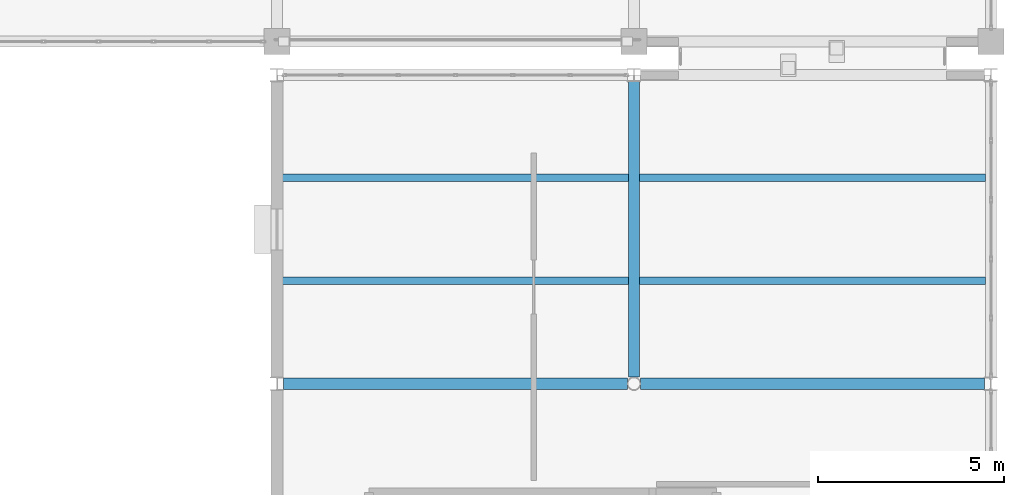
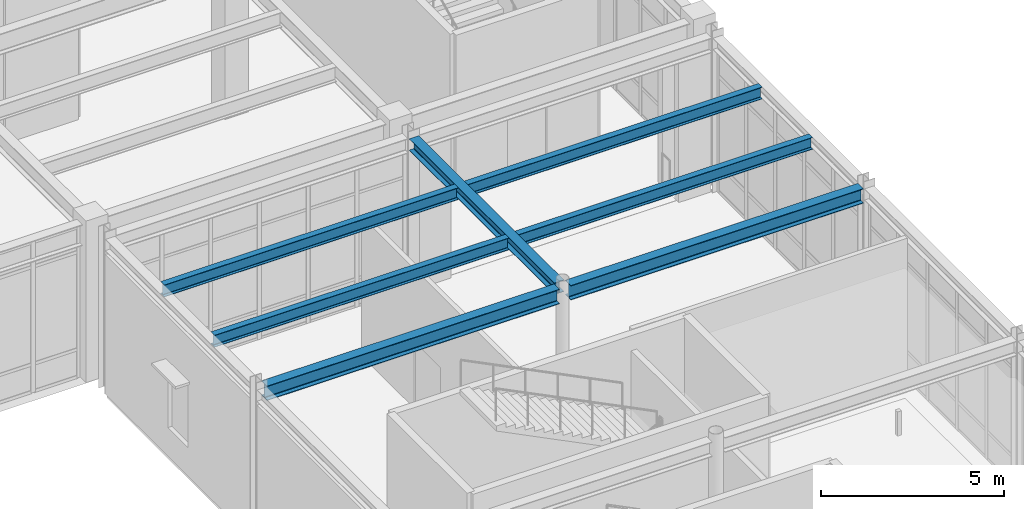
# One storey, part 22 of 80: 7 beams.
"""IFC4 building model written with IfcOpenShell, lengths in metres."""

import ifcopenshell
import ifcopenshell.guid

model = None  # the IFC model being written
_history = None  # IfcOwnerHistory: only IFC2X3 demands one
_inside = {}  # id of a spatial element -> (the spatial element, [elements in it])
_under = {}  # id of a project, library or spatial element -> (it, [spatial elements below it])
_declared = {}  # id of a project -> (the project, [libraries it declares])
_typed = {}  # id of a type object -> (the type object, [elements of that type])
_made_of = {}  # id of a material, layer set ... -> (it, [elements and type objects made of it])


def new_model(schema):
    """Start an empty IFC model of exactly this schema.

    Asked for "IFC4X3", IfcOpenShell would pick the latest addendum, in which some entities
    have other attributes; the version numbers below select the first issue.
    IFC2X3 requires an IfcOwnerHistory on every rooted entity: one is made here for all.
    """
    global model, _history
    if schema == "IFC4X3":
        model = ifcopenshell.file(schema_version=(4, 3, 0, 0))
    else:
        model = ifcopenshell.file(schema=schema)
    _inside.clear()
    _under.clear()
    _declared.clear()
    _typed.clear()
    _made_of.clear()
    _history = None
    if model.schema == "IFC2X3":
        org = make("IfcOrganization", Name="unknown")
        user = make(
            "IfcPersonAndOrganization",
            ThePerson=make("IfcPerson", FamilyName="unknown"),
            TheOrganization=org,
        )
        app = make(
            "IfcApplication",
            ApplicationDeveloper=org,
            Version="unknown",
            ApplicationFullName="unknown",
            ApplicationIdentifier="unknown",
        )
        _history = make(
            "IfcOwnerHistory",
            OwningUser=user,
            OwningApplication=app,
            ChangeAction="ADDED",
            CreationDate=0,
        )
    return model


def make(cls, **values):
    """One entity of the class cls with the attributes given. An attribute that is None is left unset."""
    return model.create_entity(
        cls, **{name: value for name, value in values.items() if value is not None}
    )


def rooted(cls, **values):
    """An entity with a GlobalId (a new one), such as an element, a storey or a relation."""
    return make(cls, GlobalId=ifcopenshell.guid.new(), OwnerHistory=_history, **values)


def si_unit(unit_type, name, prefix=None):
    """IfcSIUnit, for example si_unit("LENGTHUNIT", "METRE", prefix="MILLI")."""
    return make("IfcSIUnit", UnitType=unit_type, Prefix=prefix, Name=name)


def assignment(units):
    """IfcUnitAssignment: the units of a project."""
    return None if units is None else make("IfcUnitAssignment", Units=units)


def point(xyz):
    """IfcCartesianPoint."""
    return None if xyz is None else make("IfcCartesianPoint", Coordinates=xyz)


def direction(xyz):
    """IfcDirection."""
    return None if xyz is None else make("IfcDirection", DirectionRatios=xyz)


def frame(location, z_axis=None, x_axis=None):
    """IfcAxis2Placement3D, a coordinate frame: its origin and axes. An axis left out is left unset."""
    return make(
        "IfcAxis2Placement3D",
        Location=point(location),
        Axis=direction(z_axis),
        RefDirection=direction(x_axis),
    )


def frame_2d(location, x_axis=None):
    """IfcAxis2Placement2D, a coordinate frame in the plane: its origin and x axis."""
    return make(
        "IfcAxis2Placement2D", Location=point(location), RefDirection=direction(x_axis)
    )


def origin():
    """The frame at (0, 0, 0) with its axes left unset."""
    return frame((0.0, 0.0, 0.0))


def origin_2d():
    """The frame at (0, 0) in the plane with its x axis left unset."""
    return frame_2d((0.0, 0.0))


def place(relative_to, where):
    """IfcLocalPlacement: puts the frame where relative to a parent placement (None: the world)."""
    return make(
        "IfcLocalPlacement", PlacementRelTo=relative_to, RelativePlacement=where
    )


def context(
    kind, dimensions, precision=None, world=None, true_north=None, identifier=None
):
    """IfcGeometricRepresentationContext, for example the 3D "Model" context."""
    return make(
        "IfcGeometricRepresentationContext",
        ContextIdentifier=identifier,
        ContextType=kind,
        CoordinateSpaceDimension=dimensions,
        Precision=precision,
        WorldCoordinateSystem=world,
        TrueNorth=true_north,
    )


def subcontext(parent, identifier, kind, view, scale=None):
    """IfcGeometricRepresentationSubContext, for example "Body" below "Model"."""
    return make(
        "IfcGeometricRepresentationSubContext",
        ContextIdentifier=identifier,
        ContextType=kind,
        ParentContext=parent,
        TargetScale=scale,
        TargetView=view,
    )


def project(units=None, contexts=None):
    """IfcProject with its units and contexts."""
    return rooted(
        "IfcProject",
        Name="project",
        RepresentationContexts=contexts,
        UnitsInContext=assignment(units),
    )


def spatial(cls, under=None, at=None, **own):
    """A site, building, storey or space (cls), placed at a placement, below another one or the project."""
    s = rooted(cls, ObjectPlacement=at, **own)
    if under is not None:
        _under.setdefault(under.id(), (under, []))[1].append(s)
    return s


def profile(cls, at=None, kind="AREA", **sizes):
    """A parametric profile (cls). Its sizes go by their IFC names, for example OverallWidth=200.0."""
    return make(cls, ProfileType=kind, Position=at, **sizes)


def i_section(**sizes):
    """IfcIShapeProfileDef."""
    return profile("IfcIShapeProfileDef", **sizes)


def extrude(swept, where, along, depth):
    """IfcExtrudedAreaSolid: the profile swept, set in the frame where, extruded along a direction by depth."""
    return make(
        "IfcExtrudedAreaSolid",
        SweptArea=swept,
        Position=where,
        ExtrudedDirection=direction(along),
        Depth=depth,
    )


def shape(context_of_items, identifier, shape_type, items):
    """IfcShapeRepresentation: the items that make up one representation, for example the "Body"."""
    return make(
        "IfcShapeRepresentation",
        ContextOfItems=context_of_items,
        RepresentationIdentifier=identifier,
        RepresentationType=shape_type,
        Items=items,
    )


def material(Name=None, Category=None):
    """IfcMaterial."""
    return make("IfcMaterial", Name=Name, Category=Category)


def material_profile(
    of_material, cross_section, Name=None, Category=None, Priority=None
):
    """IfcMaterialProfile: a cross section and its material."""
    return make(
        "IfcMaterialProfile",
        Name=Name,
        Material=of_material,
        Profile=cross_section,
        Priority=Priority,
        Category=Category,
    )


def profile_set(profiles, Name=None, composite=None):
    """IfcMaterialProfileSet."""
    return make(
        "IfcMaterialProfileSet",
        Name=Name,
        MaterialProfiles=profiles,
        CompositeProfile=composite,
    )


def made_of(thing, what):
    """Note that an element or type object is made of a material, layer set ...; save() writes the relation."""
    if what is not None:
        _made_of.setdefault(what.id(), (what, []))[1].append(thing)
    return thing


def type_object(cls, material=None, **own):
    """A type object (cls), such as IfcWallType, which elements share."""
    return made_of(rooted(cls, **own), material)


def element(
    cls,
    number,
    at=None,
    inside=None,
    cuts=None,
    type_object=None,
    material=None,
    context=None,
    identifier="Body",
    shape_type=None,
    held_by="IfcProductDefinitionShape",
    body=None,
    shapes=None,
    **own,
):
    """One element of the class cls, such as IfcWall. Its Tag is "e" and its number.

    at: its placement. inside: the storey or other place that contains it. cuts: it is an
    opening in that element (IfcRelVoidsElement). A single representation is given by context,
    identifier, shape_type and body (its items); several are given by shapes. held_by: the class
    of the entity that holds the representations. save() writes the other relations.
    """
    e = rooted(cls, Tag="e%d" % number, ObjectPlacement=at, **own)
    if body is not None:
        shapes = [shape(context, identifier, shape_type, body)]
    if shapes is not None:
        e.Representation = make(held_by, Representations=shapes)
    if inside is not None:
        _inside.setdefault(inside.id(), (inside, []))[1].append(e)
    if cuts is not None:
        rooted(
            "IfcRelVoidsElement", RelatingBuildingElement=cuts, RelatedOpeningElement=e
        )
    if type_object is not None:
        _typed.setdefault(type_object.id(), (type_object, []))[1].append(e)
    return made_of(e, material)


def aggregate(whole, parts):
    """IfcRelAggregates: a whole, such as a stair, and the parts it consists of."""
    return rooted("IfcRelAggregates", RelatingObject=whole, RelatedObjects=parts)


def save(model, path):
    """Write the relations noted so far, then the file.

    IfcRelAggregates (storeys below a building ...), IfcRelContainedInSpatialStructure (elements
    in a storey), IfcRelDefinesByType, IfcRelAssociatesMaterial and IfcRelDeclares: one each for
    every whole, place, type object, material and project.
    """
    for whole, parts in _under.values():
        aggregate(whole, parts)
    for where, things in _inside.values():
        rooted(
            "IfcRelContainedInSpatialStructure",
            RelatedElements=things,
            RelatingStructure=where,
        )
    for kind, things in _typed.values():
        rooted("IfcRelDefinesByType", RelatedObjects=things, RelatingType=kind)
    for what, things in _made_of.values():
        rooted("IfcRelAssociatesMaterial", RelatedObjects=things, RelatingMaterial=what)
    for by, libraries in _declared.values():
        rooted("IfcRelDeclares", RelatingContext=by, RelatedDefinitions=libraries)
    model.write(path)


model = new_model("IFC4")

# Units and contexts
model_context = context("Model", 3, precision=1e-05, world=origin(), true_north=direction((0.0, 1.0)))
body_context = subcontext(model_context, "Body", "Model", "MODEL_VIEW")
ifc_project = project(units=[si_unit("LENGTHUNIT", "METRE"), si_unit("AREAUNIT", "SQUARE_METRE"), si_unit("VOLUMEUNIT", "CUBIC_METRE"), si_unit("PLANEANGLEUNIT", "RADIAN"), si_unit("MASSUNIT", "GRAM", prefix="KILO")], contexts=[model_context])

# Site, building, storey
site_placement = place(None, origin())
site = spatial("IfcSite", under=ifc_project, at=site_placement, CompositionType="ELEMENT")
building_placement = place(site_placement, origin())
building = spatial("IfcBuilding", under=site, at=building_placement, Name="Canglan Escarpment Cableway Terminal", CompositionType="ELEMENT")
storey_placement = place(building_placement, frame((0.0, 0.0, 19.199951171875)))
storey = spatial("IfcBuildingStorey", under=building, at=storey_placement, Name="L04", CompositionType="ELEMENT", Elevation=19.199951171875)

# Beams
ifc_material = material(Name="Steel Q355B", Category="steel")
ifc_material_profile_1 = material_profile(ifc_material, i_section(OverallWidth=0.300048828125, OverallDepth=0.389892578125, WebThickness=0.010009765625, FlangeThickness=0.01611328125, FilletRadius=0.02197265625, at=origin_2d()), Name="HM 390x300x10x16")
ifc_profile_set_1 = profile_set([ifc_material_profile_1], Name="Steel Q355B")
beam_type_1 = type_object("IfcBeamType", Name="BM-ARCH-TOP-HM390", PredefinedType="BEAM", material=ifc_profile_set_1)
beam_placement = place(storey_placement, frame((156.800048828125, 24.977783203125, 4.965087890625), z_axis=(0.0, 1.0, 0.0), x_axis=(-1.0, 0.0, 0.0)))
element("IfcBeam", 1, at=beam_placement, inside=storey, type_object=beam_type_1, Name="Primary transverse girder AR-TC1", PredefinedType="BEAM", context=body_context, shape_type="SweptSolid", body=[
    extrude(i_section(OverallWidth=0.300048828125, OverallDepth=0.389892578125, WebThickness=0.010009765625, FlangeThickness=0.01611328125, FilletRadius=0.02197265625, at=origin_2d()), origin(), (0.0, 0.0, 1.0), 7.947265625),
])
ifc_material_profile_2 = material_profile(ifc_material, i_section(OverallWidth=0.300048828125, OverallDepth=0.488037109375, WebThickness=0.010986328125, FlangeThickness=0.01806640625, FilletRadius=0.02587890625, at=origin_2d()), Name="HM 488x300x11x18")
ifc_profile_set_2 = profile_set([ifc_material_profile_2], Name="Steel Q355B")
beam_type_2 = type_object("IfcBeamType", Name="BM-HM488", PredefinedType="BEAM", material=ifc_profile_set_2)
for number, where, z_axis, x_axis, name in (
    (2, (147.375, 24.800048828125, 4.916015625), (1.0, 0.0, 0.0), (0.0, 1.0, 0.0), "Primary structural girder B-09"),
    (3, (156.977783203125, 24.800048828125, 4.916015625), (1.0, 0.0, 0.0), (0.0, 1.0, 0.0), "Primary structural girder B-09"),
):
    element("IfcBeam", number, at=place(storey_placement, frame(where, z_axis=z_axis, x_axis=x_axis)), inside=storey, type_object=beam_type_2, Name=name, PredefinedType="BEAM", context=body_context, shape_type="SweptSolid", body=[
        extrude(i_section(OverallWidth=0.300048828125, OverallDepth=0.488037109375, WebThickness=0.010986328125, FlangeThickness=0.01806640625, FilletRadius=0.02587890625, at=origin_2d()), origin(), (0.0, 0.0, 1.0), 9.247314453125),
    ])
ifc_material_profile_3 = material_profile(ifc_material, i_section(OverallWidth=0.199951171875, OverallDepth=0.39990234375, WebThickness=0.008056640625, FlangeThickness=0.012939453125, FilletRadius=0.01611328125, at=origin_2d()), Name="HN 400x200x8x13")
ifc_profile_set_3 = profile_set([ifc_material_profile_3], Name="Steel Q355B")
beam_type_3 = type_object("IfcBeamType", Name="JS-HN400", PredefinedType="JOIST", material=ifc_profile_set_3)
for number, where, z_axis, x_axis, name in (
    (4, (147.35009765625, 27.566650390625, 4.9599609375), (1.0, 0.0, 0.0), (0.0, 1.0, 0.0), "Secondary composite deck joist J-03"),
    (5, (147.35009765625, 30.333251953125, 4.9599609375), (1.0, 0.0, 0.0), (0.0, 1.0, 0.0), "Secondary composite deck joist J-03"),
):
    element("IfcBeam", number, at=place(storey_placement, frame(where, z_axis=z_axis, x_axis=x_axis)), inside=storey, type_object=beam_type_3, Name=name, PredefinedType="JOIST", context=body_context, shape_type="SweptSolid", body=[
        extrude(i_section(OverallWidth=0.199951171875, OverallDepth=0.39990234375, WebThickness=0.008056640625, FlangeThickness=0.012939453125, FilletRadius=0.01611328125, at=origin_2d()), origin(), (0.0, 0.0, 1.0), 9.2998046875),
    ])
for number, where, z_axis, x_axis, name in (
    (6, (156.949951171875, 27.566650390625, 4.9599609375), (1.0, 0.0, 0.0), (0.0, 1.0, 0.0), "Secondary composite deck joist J-03"),
    (7, (156.949951171875, 30.333251953125, 4.9599609375), (1.0, 0.0, 0.0), (0.0, 1.0, 0.0), "Secondary composite deck joist J-03"),
):
    element("IfcBeam", number, at=place(storey_placement, frame(where, z_axis=z_axis, x_axis=x_axis)), inside=storey, type_object=beam_type_3, Name=name, PredefinedType="JOIST", context=body_context, shape_type="SweptSolid", body=[
        extrude(i_section(OverallWidth=0.199951171875, OverallDepth=0.39990234375, WebThickness=0.008056640625, FlangeThickness=0.012939453125, FilletRadius=0.01611328125, at=origin_2d()), origin(), (0.0, 0.0, 1.0), 9.300048828125),
    ])

save(model, "model.ifc")
